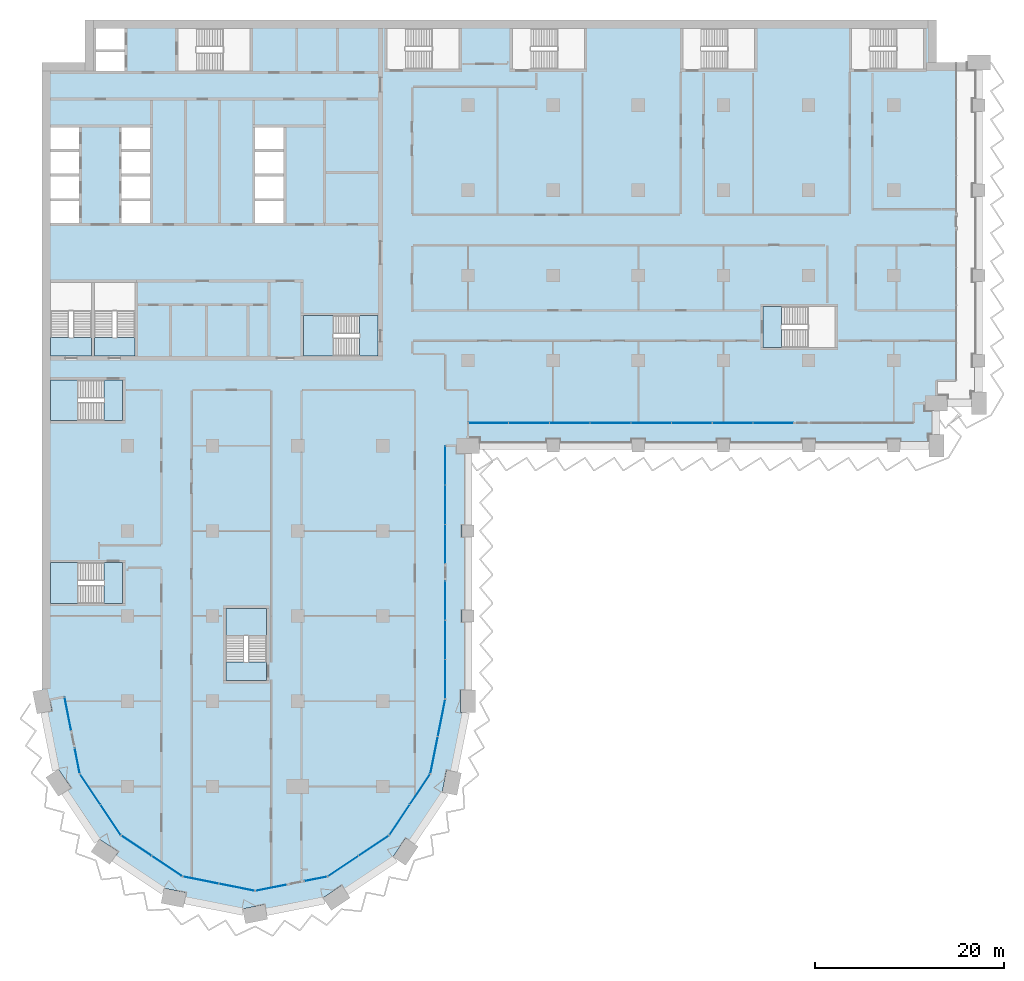
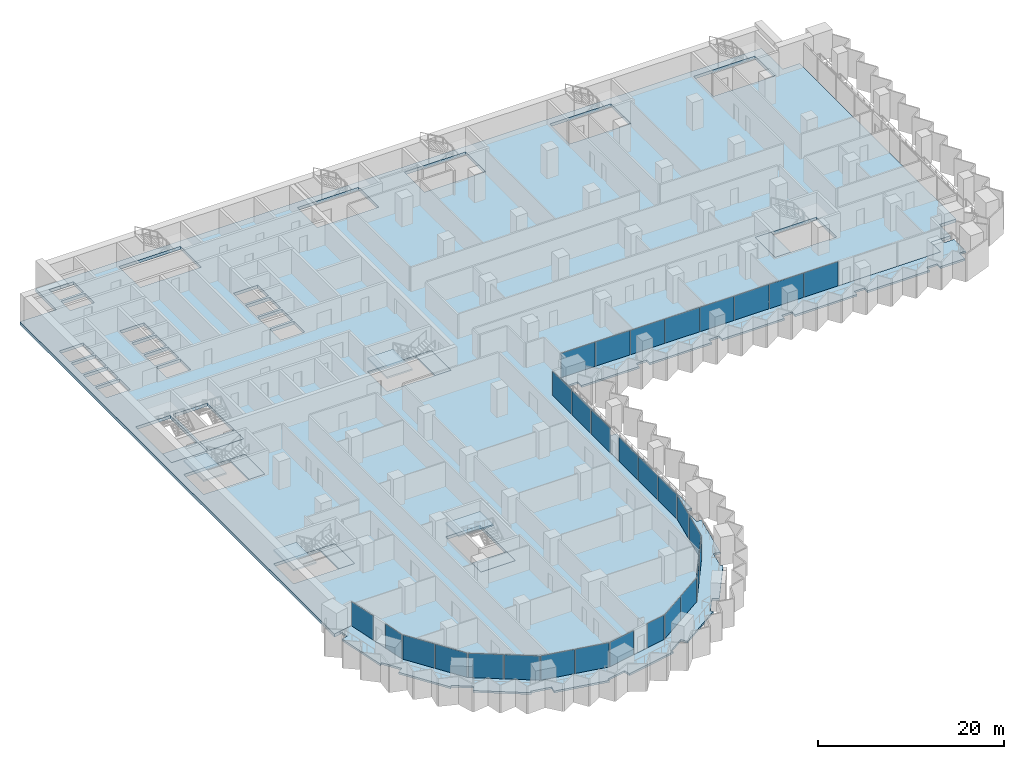
# One storey, part 8 of 28: 30 plates, 14 slabs, 17 elements without a shape of their own.
"""IFC4 building model written with IfcOpenShell, lengths in metres."""

from ifc_helpers import new_model, si_unit, direction, frame, origin, origin_2d, place, context, subcontext, project, spatial, polyline, rectangle, outline, extrude, material, layer, layer_set, type_object, element, aggregate, save


model = new_model("IFC4")

# Units and contexts
model_context = context("Model", 3, precision=1e-05, world=origin(), true_north=direction((0.0, 1.0)))
body_context = subcontext(model_context, "Body", "Model", "MODEL_VIEW")
ifc_project = project(units=[si_unit("LENGTHUNIT", "METRE"), si_unit("AREAUNIT", "SQUARE_METRE"), si_unit("VOLUMEUNIT", "CUBIC_METRE"), si_unit("PLANEANGLEUNIT", "RADIAN"), si_unit("MASSUNIT", "GRAM", prefix="KILO")], contexts=[model_context])

# Site, building, storey
site_placement = place(None, origin())
site = spatial("IfcSite", under=ifc_project, at=site_placement, CompositionType="ELEMENT")
building_placement = place(site_placement, origin())
building = spatial("IfcBuilding", under=site, at=building_placement, Name="Hunhe Ridgeline Campus", CompositionType="ELEMENT")
storey_placement = place(building_placement, frame((0.0, 0.0, 76.5)))
storey = spatial("IfcBuildingStorey", under=building, at=storey_placement, Name="L18", CompositionType="ELEMENT", Elevation=76.5)

# Curtain wall, plate
ifc_material_1 = material(Name="Aluminium 6063", Category="aluminium")
curtain_wall_type_1 = type_object("IfcCurtainWallType", Name="Curtain wall CW-5", PredefinedType="NOTDEFINED", material=ifc_material_1)
curtain_wall_1_placement = place(storey_placement, origin())
curtain_wall_1 = element("IfcCurtainWall", 1, at=curtain_wall_1_placement, inside=storey, type_object=curtain_wall_type_1, Name="Curtain wall 01", PredefinedType="NOTDEFINED")
ifc_material_2 = material(Name="Low-e laminated glass", Category="glass")
ifc_layer_1 = layer(ifc_material_2, 0.028076171875)
ifc_layer_set_1 = layer_set([ifc_layer_1], Name="Curtain wall glass panel 28 low-e laminated")
plate_type = type_object("IfcPlateType", Name="Curtain wall glass panel 28 low-e laminated", PredefinedType="CURTAIN_PANEL", material=ifc_layer_set_1)
plate_1_placement = place(storey_placement, frame((2.7158203125, 25.65380859375, 0.0), z_axis=(0.0, 0.0, 1.0), x_axis=(0.195095326561, -0.980784284924, 0.0)))
plate_1 = element("IfcPlate", 2, at=plate_1_placement, type_object=plate_type, Name="CW-5 panel 1", PredefinedType="CURTAIN_PANEL", context=body_context, shape_type="SweptSolid", body=[
    extrude(rectangle(XDim=3.560791015625, YDim=0.028076171875, at=origin_2d()), origin(), (0.0, 0.0, 1.0), 3.179931640625),
])
aggregate(curtain_wall_1, [plate_1])

curtain_wall_2_placement = place(storey_placement, origin())
curtain_wall_2 = element("IfcCurtainWall", 3, at=curtain_wall_2_placement, inside=storey, type_object=curtain_wall_type_1, Name="Curtain wall 02", PredefinedType="NOTDEFINED")
plate_2_placement = place(storey_placement, frame((3.701171875, 20.699951171875, 0.0), z_axis=(0.0, 0.0, 1.0), x_axis=(0.195095265587, -0.980784297053, 0.0)))
plate_2 = element("IfcPlate", 4, at=plate_2_placement, type_object=plate_type, Name="CW-5 panel 1", PredefinedType="CURTAIN_PANEL", context=body_context, shape_type="SweptSolid", body=[
    extrude(rectangle(XDim=2.660888671875, YDim=0.028076171875, at=origin_2d()), origin(), (0.0, 0.0, 1.0), 3.179931640625),
])
aggregate(curtain_wall_2, [plate_2])

# Curtain wall, plates
curtain_wall_3_placement = place(storey_placement, origin())
curtain_wall_3 = element("IfcCurtainWall", 5, at=curtain_wall_3_placement, inside=storey, type_object=curtain_wall_type_1, Name="Curtain wall 03", PredefinedType="NOTDEFINED")
plate_3_placement = place(storey_placement, frame((5.07080078125, 17.685546875, 0.0), z_axis=(0.0, 0.0, 1.0), x_axis=(0.555570274596, -0.831469584522, 0.0)))
plate_3 = element("IfcPlate", 6, at=plate_3_placement, type_object=plate_type, Name="CW-5 panel 1", PredefinedType="CURTAIN_PANEL", context=body_context, shape_type="SweptSolid", body=[
    extrude(rectangle(XDim=3.806884765625, YDim=0.028076171875, at=origin_2d()), origin(), (0.0, 0.0, 1.0), 3.179931640625),
])
plate_4_placement = place(storey_placement, frame((7.224609375, 14.4619140625, 0.0), z_axis=(0.0, 0.0, 1.0), x_axis=(0.555570274596, -0.831469584522, 0.0)))
plate_4 = element("IfcPlate", 7, at=plate_4_placement, type_object=plate_type, Name="CW-5 panel 2", PredefinedType="CURTAIN_PANEL", context=body_context, shape_type="SweptSolid", body=[
    extrude(rectangle(XDim=3.806884765625, YDim=0.028076171875, at=origin_2d()), origin(), (0.0, 0.0, 1.0), 3.179931640625),
])
aggregate(curtain_wall_3, [plate_3, plate_4])

curtain_wall_4_placement = place(storey_placement, origin())
curtain_wall_4 = element("IfcCurtainWall", 8, at=curtain_wall_4_placement, inside=storey, type_object=curtain_wall_type_1, Name="Curtain wall 04", PredefinedType="NOTDEFINED")
plate_5_placement = place(storey_placement, frame((9.9619140625, 11.724609375, 0.0), z_axis=(0.0, 0.0, 1.0), x_axis=(0.831469584522, -0.555570274596, 0.0)))
plate_5 = element("IfcPlate", 9, at=plate_5_placement, type_object=plate_type, Name="CW-5 panel 1", PredefinedType="CURTAIN_PANEL", context=body_context, shape_type="SweptSolid", body=[
    extrude(rectangle(XDim=3.806884765625, YDim=0.028076171875, at=origin_2d()), origin(), (0.0, 0.0, 1.0), 3.179931640625),
])
plate_6_placement = place(storey_placement, frame((13.185546875, 9.57080078125, 0.0), z_axis=(0.0, 0.0, 1.0), x_axis=(0.831469584522, -0.555570274596, 0.0)))
plate_6 = element("IfcPlate", 10, at=plate_6_placement, type_object=plate_type, Name="CW-5 panel 2", PredefinedType="CURTAIN_PANEL", context=body_context, shape_type="SweptSolid", body=[
    extrude(rectangle(XDim=3.806884765625, YDim=0.028076171875, at=origin_2d()), origin(), (0.0, 0.0, 1.0), 3.179931640625),
])
aggregate(curtain_wall_4, [plate_5, plate_6])

curtain_wall_5_placement = place(storey_placement, origin())
curtain_wall_5 = element("IfcCurtainWall", 11, at=curtain_wall_5_placement, inside=storey, type_object=curtain_wall_type_1, Name="Curtain wall 05", PredefinedType="NOTDEFINED")
plate_7_placement = place(storey_placement, frame((16.761962890625, 8.08935546875, 0.0), z_axis=(0.0, 0.0, 1.0), x_axis=(0.980785275326, -0.195090347539, 0.0)))
plate_7 = element("IfcPlate", 12, at=plate_7_placement, type_object=plate_type, Name="CW-5 panel 1", PredefinedType="CURTAIN_PANEL", context=body_context, shape_type="SweptSolid", body=[
    extrude(rectangle(XDim=3.806884765625, YDim=0.028076171875, at=origin_2d()), origin(), (0.0, 0.0, 1.0), 3.179931640625),
])
plate_8_placement = place(storey_placement, frame((20.564453125, 7.3330078125, 0.0), z_axis=(0.0, 0.0, 1.0), x_axis=(0.980785275326, -0.195090347539, 0.0)))
plate_8 = element("IfcPlate", 13, at=plate_8_placement, type_object=plate_type, Name="CW-5 panel 2", PredefinedType="CURTAIN_PANEL", context=body_context, shape_type="SweptSolid", body=[
    extrude(rectangle(XDim=3.806884765625, YDim=0.028076171875, at=origin_2d()), origin(), (0.0, 0.0, 1.0), 3.179931640625),
])
aggregate(curtain_wall_5, [plate_7, plate_8])

# Curtain wall, plate
curtain_wall_6_placement = place(storey_placement, origin())
curtain_wall_6 = element("IfcCurtainWall", 14, at=curtain_wall_6_placement, inside=storey, type_object=curtain_wall_type_1, Name="Curtain wall 06", PredefinedType="NOTDEFINED")
plate_9_placement = place(storey_placement, frame((24.19775390625, 7.28564453125, 0.0), z_axis=(0.0, 0.0, 1.0), x_axis=(0.980785270791, 0.19509037034, 0.0)))
plate_9 = element("IfcPlate", 15, at=plate_9_placement, type_object=plate_type, Name="CW-5 panel 1", PredefinedType="CURTAIN_PANEL", context=body_context, shape_type="SweptSolid", body=[
    extrude(rectangle(XDim=3.322021484375, YDim=0.028076171875, at=origin_2d()), origin(), (0.0, 0.0, 1.0), 3.179931640625),
])
aggregate(curtain_wall_6, [plate_9])

curtain_wall_7_placement = place(storey_placement, origin())
curtain_wall_7 = element("IfcCurtainWall", 16, at=curtain_wall_7_placement, inside=storey, type_object=curtain_wall_type_1, Name="Curtain wall 07", PredefinedType="NOTDEFINED")
plate_10_placement = place(storey_placement, frame((28.917236328125, 8.224609375, 0.0), z_axis=(0.0, 0.0, 1.0), x_axis=(0.980785242091, 0.195090514627, 0.0)))
plate_10 = element("IfcPlate", 17, at=plate_10_placement, type_object=plate_type, Name="CW-5 panel 1", PredefinedType="CURTAIN_PANEL", context=body_context, shape_type="SweptSolid", body=[
    extrude(rectangle(XDim=2.421875, YDim=0.028076171875, at=origin_2d()), origin(), (0.0, 0.0, 1.0), 3.179931640625),
])
aggregate(curtain_wall_7, [plate_10])

# Curtain wall, plates
curtain_wall_8_placement = place(storey_placement, origin())
curtain_wall_8 = element("IfcCurtainWall", 18, at=curtain_wall_8_placement, inside=storey, type_object=curtain_wall_type_1, Name="Curtain wall 08", PredefinedType="NOTDEFINED")
plate_11_placement = place(storey_placement, frame((31.814453125, 9.57080078125, 0.0), z_axis=(0.0, 0.0, 1.0), x_axis=(0.831469584522, 0.555570274596, 0.0)))
plate_11 = element("IfcPlate", 19, at=plate_11_placement, type_object=plate_type, Name="CW-5 panel 1", PredefinedType="CURTAIN_PANEL", context=body_context, shape_type="SweptSolid", body=[
    extrude(rectangle(XDim=3.806884765625, YDim=0.028076171875, at=origin_2d()), origin(), (0.0, 0.0, 1.0), 3.179931640625),
])
plate_12_placement = place(storey_placement, frame((35.0380859375, 11.724609375, 0.0), z_axis=(0.0, 0.0, 1.0), x_axis=(0.831469584522, 0.555570274596, 0.0)))
plate_12 = element("IfcPlate", 20, at=plate_12_placement, type_object=plate_type, Name="CW-5 panel 2", PredefinedType="CURTAIN_PANEL", context=body_context, shape_type="SweptSolid", body=[
    extrude(rectangle(XDim=3.806884765625, YDim=0.028076171875, at=origin_2d()), origin(), (0.0, 0.0, 1.0), 3.179931640625),
])
aggregate(curtain_wall_8, [plate_11, plate_12])

curtain_wall_9_placement = place(storey_placement, origin())
curtain_wall_9 = element("IfcCurtainWall", 21, at=curtain_wall_9_placement, inside=storey, type_object=curtain_wall_type_1, Name="Curtain wall 09", PredefinedType="NOTDEFINED")
plate_13_placement = place(storey_placement, frame((37.775390625, 14.4619140625, 0.0), z_axis=(0.0, 0.0, 1.0), x_axis=(0.555570274596, 0.831469584522, 0.0)))
plate_13 = element("IfcPlate", 22, at=plate_13_placement, type_object=plate_type, Name="CW-5 panel 1", PredefinedType="CURTAIN_PANEL", context=body_context, shape_type="SweptSolid", body=[
    extrude(rectangle(XDim=3.806884765625, YDim=0.028076171875, at=origin_2d()), origin(), (0.0, 0.0, 1.0), 3.179931640625),
])
plate_14_placement = place(storey_placement, frame((39.92919921875, 17.685546875, 0.0), z_axis=(0.0, 0.0, 1.0), x_axis=(0.555570274596, 0.831469584522, 0.0)))
plate_14 = element("IfcPlate", 23, at=plate_14_placement, type_object=plate_type, Name="CW-5 panel 2", PredefinedType="CURTAIN_PANEL", context=body_context, shape_type="SweptSolid", body=[
    extrude(rectangle(XDim=3.806884765625, YDim=0.028076171875, at=origin_2d()), origin(), (0.0, 0.0, 1.0), 3.179931640625),
])
aggregate(curtain_wall_9, [plate_13, plate_14])

curtain_wall_10_placement = place(storey_placement, origin())
curtain_wall_10 = element("IfcCurtainWall", 24, at=curtain_wall_10_placement, inside=storey, type_object=curtain_wall_type_1, Name="Curtain wall 10", PredefinedType="NOTDEFINED")
plate_15_placement = place(storey_placement, frame((41.42236328125, 21.321044921875, 0.0), z_axis=(0.0, 0.0, 1.0), x_axis=(0.195090299215, 0.980785284939, 0.0)))
plate_15 = element("IfcPlate", 25, at=plate_15_placement, type_object=plate_type, Name="CW-5 panel 1", PredefinedType="CURTAIN_PANEL", context=body_context, shape_type="SweptSolid", body=[
    extrude(rectangle(XDim=3.927490234375, YDim=0.028076171875, at=origin_2d()), origin(), (0.0, 0.0, 1.0), 3.179931640625),
])
plate_16_placement = place(storey_placement, frame((42.2021484375, 25.24169921875, 0.0), z_axis=(0.0, 0.0, 1.0), x_axis=(0.195090299215, 0.980785284939, 0.0)))
plate_16 = element("IfcPlate", 26, at=plate_16_placement, type_object=plate_type, Name="CW-5 panel 2", PredefinedType="CURTAIN_PANEL", context=body_context, shape_type="SweptSolid", body=[
    extrude(rectangle(XDim=3.927490234375, YDim=0.028076171875, at=origin_2d()), origin(), (0.0, 0.0, 1.0), 3.179931640625),
])
aggregate(curtain_wall_10, [plate_15, plate_16])

curtain_wall_type_2 = type_object("IfcCurtainWallType", Name="Curtain wall CW-1", PredefinedType="NOTDEFINED", material=ifc_material_1)
curtain_wall_11_placement = place(storey_placement, origin())
curtain_wall_11 = element("IfcCurtainWall", 27, at=curtain_wall_11_placement, inside=storey, type_object=curtain_wall_type_2, Name="Curtain wall 11", PredefinedType="NOTDEFINED")
plate_17_placement = place(storey_placement, frame((42.59912109375, 29.331787109375, 0.0), z_axis=(0.0, 0.0, 1.0), x_axis=(1.60239e-07, 1.0, 0.0)))
plate_17 = element("IfcPlate", 28, at=plate_17_placement, type_object=plate_type, Name="CW-1 panel 1", PredefinedType="CURTAIN_PANEL", context=body_context, shape_type="SweptSolid", body=[
    extrude(rectangle(XDim=4.070556640625, YDim=0.028076171875, at=origin_2d()), origin(), (0.0, 0.0, 1.0), 3.18994140625),
])
plate_18_placement = place(storey_placement, frame((42.59912109375, 33.477294921875, 0.0), z_axis=(0.0, 0.0, 1.0), x_axis=(1.60239e-07, 1.0, 0.0)))
plate_18 = element("IfcPlate", 29, at=plate_18_placement, type_object=plate_type, Name="CW-1 panel 2", PredefinedType="CURTAIN_PANEL", context=body_context, shape_type="SweptSolid", body=[
    extrude(rectangle(XDim=4.1005859375, YDim=0.028076171875, at=origin_2d()), origin(), (0.0, 0.0, 1.0), 3.18994140625),
])
plate_19_placement = place(storey_placement, frame((42.59912109375, 37.623046875, 0.0), z_axis=(0.0, 0.0, 1.0), x_axis=(1.60239e-07, 1.0, 0.0)))
plate_19 = element("IfcPlate", 30, at=plate_19_placement, type_object=plate_type, Name="CW-1 panel 3", PredefinedType="CURTAIN_PANEL", context=body_context, shape_type="SweptSolid", body=[
    extrude(rectangle(XDim=4.070556640625, YDim=0.028076171875, at=origin_2d()), origin(), (0.0, 0.0, 1.0), 3.18994140625),
])
aggregate(curtain_wall_11, [plate_17, plate_18, plate_19])

curtain_wall_12_placement = place(storey_placement, origin())
curtain_wall_12 = element("IfcCurtainWall", 31, at=curtain_wall_12_placement, inside=storey, type_object=curtain_wall_type_2, Name="Curtain wall 12", PredefinedType="NOTDEFINED")
plate_20_placement = place(storey_placement, frame((42.59912109375, 43.613525390625, 0.0), z_axis=(0.0, 0.0, 1.0), x_axis=(1.60239e-07, 1.0, 0.0)))
plate_20 = element("IfcPlate", 32, at=plate_20_placement, type_object=plate_type, Name="CW-1 panel 1", PredefinedType="CURTAIN_PANEL", context=body_context, shape_type="SweptSolid", body=[
    extrude(rectangle(XDim=4.070556640625, YDim=0.028076171875, at=origin_2d()), origin(), (0.0, 0.0, 1.0), 3.18994140625),
])
plate_21_placement = place(storey_placement, frame((42.59912109375, 47.75927734375, 0.0), z_axis=(0.0, 0.0, 1.0), x_axis=(1.60239e-07, 1.0, 0.0)))
plate_21 = element("IfcPlate", 33, at=plate_21_placement, type_object=plate_type, Name="CW-1 panel 2", PredefinedType="CURTAIN_PANEL", context=body_context, shape_type="SweptSolid", body=[
    extrude(rectangle(XDim=4.1005859375, YDim=0.028076171875, at=origin_2d()), origin(), (0.0, 0.0, 1.0), 3.18994140625),
])
plate_22_placement = place(storey_placement, frame((42.59912109375, 51.90478515625, 0.0), z_axis=(0.0, 0.0, 1.0), x_axis=(1.60239e-07, 1.0, 0.0)))
plate_22 = element("IfcPlate", 34, at=plate_22_placement, type_object=plate_type, Name="CW-1 panel 3", PredefinedType="CURTAIN_PANEL", context=body_context, shape_type="SweptSolid", body=[
    extrude(rectangle(XDim=4.070556640625, YDim=0.028076171875, at=origin_2d()), origin(), (0.0, 0.0, 1.0), 3.18994140625),
])
aggregate(curtain_wall_12, [plate_20, plate_21, plate_22])

curtain_wall_13_placement = place(storey_placement, origin())
curtain_wall_13 = element("IfcCurtainWall", 35, at=curtain_wall_13_placement, inside=storey, type_object=curtain_wall_type_2, Name="Curtain wall 13", PredefinedType="NOTDEFINED")
plate_23_placement = place(storey_placement, frame((47.166015625, 56.40087890625, 0.0), z_axis=(0.0, 0.0, 1.0), x_axis=(0.999999999994, 3.602063e-06, 0.0)))
plate_23 = element("IfcPlate", 36, at=plate_23_placement, type_object=plate_type, Name="CW-1 panel 1", PredefinedType="CURTAIN_PANEL", context=body_context, shape_type="SweptSolid", body=[
    extrude(rectangle(XDim=4.213134765625, YDim=0.028076171875, at=origin_2d()), origin(), (0.0, 0.0, 1.0), 3.18994140625),
])
plate_24_placement = place(storey_placement, frame((51.4541015625, 56.40087890625, 0.0), z_axis=(0.0, 0.0, 1.0), x_axis=(0.999999999994, 3.602063e-06, 0.0)))
plate_24 = element("IfcPlate", 37, at=plate_24_placement, type_object=plate_type, Name="CW-1 panel 2", PredefinedType="CURTAIN_PANEL", context=body_context, shape_type="SweptSolid", body=[
    extrude(rectangle(XDim=4.2431640625, YDim=0.028076171875, at=origin_2d()), origin(), (0.0, 0.0, 1.0), 3.18994140625),
])
plate_25_placement = place(storey_placement, frame((55.757080078125, 56.40087890625, 0.0), z_axis=(0.0, 0.0, 1.0), x_axis=(0.999999999994, 3.602063e-06, 0.0)))
plate_25 = element("IfcPlate", 38, at=plate_25_placement, type_object=plate_type, Name="CW-1 panel 3", PredefinedType="CURTAIN_PANEL", context=body_context, shape_type="SweptSolid", body=[
    extrude(rectangle(XDim=4.2431640625, YDim=0.028076171875, at=origin_2d()), origin(), (0.0, 0.0, 1.0), 3.18994140625),
])
plate_26_placement = place(storey_placement, frame((60.060302734375, 56.40087890625, 0.0), z_axis=(0.0, 0.0, 1.0), x_axis=(0.999999999994, 3.602063e-06, 0.0)))
plate_26 = element("IfcPlate", 39, at=plate_26_placement, type_object=plate_type, Name="CW-1 panel 4", PredefinedType="CURTAIN_PANEL", context=body_context, shape_type="SweptSolid", body=[
    extrude(rectangle(XDim=4.2431640625, YDim=0.028076171875, at=origin_2d()), origin(), (0.0, 0.0, 1.0), 3.18994140625),
])
plate_27_placement = place(storey_placement, frame((64.36328125, 56.40087890625, 0.0), z_axis=(0.0, 0.0, 1.0), x_axis=(0.999999999994, 3.602063e-06, 0.0)))
plate_27 = element("IfcPlate", 40, at=plate_27_placement, type_object=plate_type, Name="CW-1 panel 5", PredefinedType="CURTAIN_PANEL", context=body_context, shape_type="SweptSolid", body=[
    extrude(rectangle(XDim=4.2431640625, YDim=0.028076171875, at=origin_2d()), origin(), (0.0, 0.0, 1.0), 3.18994140625),
])
plate_28_placement = place(storey_placement, frame((68.66650390625, 56.40087890625, 0.0), z_axis=(0.0, 0.0, 1.0), x_axis=(0.999999999994, 3.602063e-06, 0.0)))
plate_28 = element("IfcPlate", 41, at=plate_28_placement, type_object=plate_type, Name="CW-1 panel 6", PredefinedType="CURTAIN_PANEL", context=body_context, shape_type="SweptSolid", body=[
    extrude(rectangle(XDim=4.2431640625, YDim=0.028076171875, at=origin_2d()), origin(), (0.0, 0.0, 1.0), 3.18994140625),
])
plate_29_placement = place(storey_placement, frame((72.969482421875, 56.40087890625, 0.0), z_axis=(0.0, 0.0, 1.0), x_axis=(0.999999999994, 3.602063e-06, 0.0)))
plate_29 = element("IfcPlate", 42, at=plate_29_placement, type_object=plate_type, Name="CW-1 panel 7", PredefinedType="CURTAIN_PANEL", context=body_context, shape_type="SweptSolid", body=[
    extrude(rectangle(XDim=4.2431640625, YDim=0.028076171875, at=origin_2d()), origin(), (0.0, 0.0, 1.0), 3.18994140625),
])
plate_30_placement = place(storey_placement, frame((77.257568359375, 56.40087890625, 0.0), z_axis=(0.0, 0.0, 1.0), x_axis=(0.999999999994, 3.602063e-06, 0.0)))
plate_30 = element("IfcPlate", 43, at=plate_30_placement, type_object=plate_type, Name="CW-1 panel 8", PredefinedType="CURTAIN_PANEL", context=body_context, shape_type="SweptSolid", body=[
    extrude(rectangle(XDim=4.213134765625, YDim=0.028076171875, at=origin_2d()), origin(), (0.0, 0.0, 1.0), 3.18994140625),
])
aggregate(curtain_wall_13, [plate_23, plate_24, plate_25, plate_26, plate_27, plate_28, plate_29, plate_30])

# Slabs
ifc_material_3 = material(Name="Concrete C40", Category="concrete")
ifc_layer_2 = layer(ifc_material_3, 0.39990234375)
ifc_layer_set_2 = layer_set([ifc_layer_2], Name="Floor slab 400 Concrete C40")
slab_type_1 = type_object("IfcSlabType", Name="Floor slab 400 Concrete C40", PredefinedType="FLOOR", material=ifc_layer_set_2)
slab_1_placement = place(storey_placement, frame((0.0, 0.0, -0.39990234375)))
element("IfcSlab", 44, at=slab_1_placement, inside=storey, type_object=slab_type_1, Name="Floor slab L18 1", PredefinedType="FLOOR", context=body_context, shape_type="SweptSolid", body=[
    extrude(outline(polyline([(4.5, 94.5), (0.0, 94.5), (0.0, 27.0009765625), (2.354736328125, 27.46875), (3.974365234375, 19.326416015625), (8.321044921875, 12.821044921875), (14.826416015625, 8.474365234375), (22.5, 6.947998046875), (30.173583984375, 8.474365234375), (36.678955078125, 12.821044921875), (41.025634765625, 19.326416015625), (42.59912109375, 27.236572265625), (42.59912109375, 54.0), (44.9990234375, 54.0009765625), (44.99951171875, 56.40087890625), (92.09912109375, 56.40087890625), (92.099365234375, 58.500732421875), (94.4990234375, 58.5009765625), (94.499267578125, 60.900634765625), (96.59912109375, 60.90087890625), (96.59912109375, 94.5), (94.5, 94.5), (94.5, 99.0), (4.5, 99.0), (4.5, 94.5)]), holes=[polyline([(93.14990234375, 93.800048828125), (93.14990234375, 98.10009765625), (85.550048828125, 98.10009765625), (85.550048828125, 93.800048828125), (93.14990234375, 93.800048828125)]), polyline([(76.199951171875, 68.699951171875), (76.199951171875, 64.39990234375), (83.800048828125, 64.39990234375), (83.800048828125, 68.699951171875), (76.199951171875, 68.699951171875)]), polyline([(75.300048828125, 98.10009765625), (67.699951171875, 98.10009765625), (67.699951171875, 93.800048828125), (75.300048828125, 93.800048828125), (75.300048828125, 98.10009765625)]), polyline([(49.699951171875, 98.10009765625), (49.699951171875, 93.800048828125), (57.300048828125, 93.800048828125), (57.300048828125, 98.10009765625), (49.699951171875, 98.10009765625)]), polyline([(36.449951171875, 93.800048828125), (44.050048828125, 93.800048828125), (44.050048828125, 98.10009765625), (36.449951171875, 98.10009765625), (36.449951171875, 93.800048828125)]), polyline([(35.5, 63.5), (35.5, 67.75), (27.60009765625, 67.75), (27.60009765625, 63.5), (35.5, 63.5)]), polyline([(25.5, 80.14990234375), (25.5, 82.449951171875), (22.5, 82.449951171875), (22.5, 80.14990234375), (25.5, 80.14990234375)]), polyline([(25.5, 79.85009765625), (22.5, 79.85009765625), (22.5, 77.550048828125), (25.5, 77.550048828125), (25.5, 79.85009765625)]), polyline([(22.5, 87.64990234375), (22.5, 85.35009765625), (25.5, 85.35009765625), (25.5, 87.64990234375), (22.5, 87.64990234375)]), polyline([(22.5, 82.75), (25.5, 82.75), (25.5, 85.050048828125), (22.5, 85.050048828125), (22.5, 82.75)]), polyline([(23.699951171875, 29.199951171875), (23.699951171875, 36.800048828125), (19.39990234375, 36.800048828125), (19.39990234375, 29.199951171875), (23.699951171875, 29.199951171875)]), polyline([(14.35009765625, 93.60009765625), (21.949951171875, 93.60009765625), (21.949951171875, 98.10009765625), (14.35009765625, 98.10009765625), (14.35009765625, 93.60009765625)]), polyline([(11.39990234375, 79.85009765625), (8.39990234375, 79.85009765625), (8.39990234375, 77.550048828125), (11.39990234375, 77.550048828125), (11.39990234375, 79.85009765625)]), polyline([(11.39990234375, 80.14990234375), (11.39990234375, 82.449951171875), (8.39990234375, 82.449951171875), (8.39990234375, 80.14990234375), (11.39990234375, 80.14990234375)]), polyline([(8.39990234375, 87.64990234375), (8.39990234375, 85.35009765625), (11.39990234375, 85.35009765625), (11.39990234375, 87.64990234375), (8.39990234375, 87.64990234375)]), polyline([(8.39990234375, 82.75), (11.39990234375, 82.75), (11.39990234375, 85.050048828125), (8.39990234375, 85.050048828125), (8.39990234375, 82.75)]), polyline([(9.800048828125, 71.25), (5.5, 71.25), (5.5, 63.5), (9.800048828125, 63.5), (9.800048828125, 71.25)]), polyline([(8.699951171875, 95.89990234375), (8.699951171875, 98.10009765625), (5.699951171875, 98.10009765625), (5.699951171875, 95.89990234375), (8.699951171875, 95.89990234375)]), polyline([(8.699951171875, 95.60009765625), (5.699951171875, 95.60009765625), (5.699951171875, 93.60009765625), (8.699951171875, 93.60009765625), (8.699951171875, 95.60009765625)]), polyline([(0.89990234375, 37.35009765625), (8.5, 37.35009765625), (8.5, 41.64990234375), (0.89990234375, 41.64990234375), (0.89990234375, 37.35009765625)]), polyline([(0.89990234375, 60.949951171875), (0.89990234375, 56.64990234375), (8.5, 56.64990234375), (8.5, 60.949951171875), (0.89990234375, 60.949951171875)]), polyline([(0.89990234375, 71.25), (0.89990234375, 63.5), (5.199951171875, 63.5), (5.199951171875, 71.25), (0.89990234375, 71.25)]), polyline([(3.89990234375, 80.14990234375), (3.89990234375, 82.449951171875), (0.89990234375, 82.449951171875), (0.89990234375, 80.14990234375), (3.89990234375, 80.14990234375)]), polyline([(3.89990234375, 79.85009765625), (0.89990234375, 79.85009765625), (0.89990234375, 77.550048828125), (3.89990234375, 77.550048828125), (3.89990234375, 79.85009765625)]), polyline([(0.89990234375, 87.64990234375), (0.89990234375, 85.35009765625), (3.89990234375, 85.35009765625), (3.89990234375, 87.64990234375), (0.89990234375, 87.64990234375)]), polyline([(0.89990234375, 82.75), (3.89990234375, 82.75), (3.89990234375, 85.050048828125), (0.89990234375, 85.050048828125), (0.89990234375, 82.75)])]), origin(), (0.0, 0.0, 1.0), 0.39990234375),
])
ifc_layer_3 = layer(ifc_material_3, 0.25)
ifc_layer_set_3 = layer_set([ifc_layer_3], Name="Loggia slab 250 Concrete C40")
slab_type_2 = type_object("IfcSlabType", Name="Loggia slab 250 Concrete C40", PredefinedType="FLOOR", material=ifc_layer_set_3)
slab_2_placement = place(storey_placement, frame((0.0, 0.0, -0.25)))
element("IfcSlab", 45, at=slab_2_placement, inside=storey, type_object=slab_type_2, Name="Loggia slab 1", PredefinedType="FLOOR", context=body_context, shape_type="SweptSolid", body=[
    extrude(outline(polyline([(30.173828125, 8.473388671875), (22.5, 6.947021484375), (14.826171875, 8.473388671875), (8.3203125, 12.8203125), (3.973388671875, 19.326171875), (2.35400390625, 27.46826171875), (0.78466796875, 27.156005859375), (1.018798828125, 25.979248046875), (0.234130859375, 25.822998046875), (1.459228515625, 19.66357421875), (1.711181640625, 19.831787109375), (3.044677734375, 17.83642578125), (2.37939453125, 17.391845703125), (5.868408203125, 12.170166015625), (6.036865234375, 12.421875), (8.0322265625, 11.088623046875), (7.587890625, 10.42333984375), (12.8095703125, 6.934326171875), (12.86865234375, 7.2314453125), (15.22265625, 6.76318359375), (15.066650390625, 5.978515625), (21.22607421875, 4.75341796875), (21.1669921875, 5.050537109375), (23.520751953125, 5.518798828125), (23.677001953125, 4.734130859375), (29.83642578125, 5.959228515625), (29.668212890625, 6.211181640625), (31.66357421875, 7.544677734375), (32.108154296875, 6.87939453125), (37.329833984375, 10.368408203125), (37.078125, 10.536865234375), (38.411376953125, 12.5322265625), (39.07666015625, 12.087890625), (42.565673828125, 17.3095703125), (42.2685546875, 17.36865234375), (42.73681640625, 19.72265625), (43.521484375, 19.566650390625), (44.76123046875, 25.800048828125), (44.199951171875, 25.800048828125), (44.199951171875, 28.199951171875), (45.0, 28.199951171875), (45.0, 35.35009765625), (44.35009765625, 35.35009765625), (44.35009765625, 36.64990234375), (45.0, 36.64990234375), (45.0, 44.35009765625), (44.35009765625, 44.35009765625), (44.35009765625, 45.64990234375), (45.0, 45.64990234375), (45.0, 53.199951171875), (43.800048828125, 53.199951171875), (43.800048828125, 54.0), (42.60009765625, 54.0), (42.60009765625, 27.236328125), (41.026611328125, 19.326171875), (36.6796875, 12.8203125), (30.173828125, 8.473388671875)])), origin(), (0.0, 0.0, 1.0), 0.25),
])
slab_3_placement = place(storey_placement, frame((0.0, 0.0, -0.25)))
element("IfcSlab", 46, at=slab_3_placement, inside=storey, type_object=slab_type_2, Name="Loggia slab 2", PredefinedType="FLOOR", context=body_context, shape_type="SweptSolid", body=[
    extrude(outline(polyline([(45.0, 54.800048828125), (46.199951171875, 54.800048828125), (46.199951171875, 54.0), (53.35009765625, 54.0), (53.35009765625, 54.64990234375), (54.64990234375, 54.64990234375), (54.64990234375, 54.0), (62.35009765625, 54.0), (62.35009765625, 54.64990234375), (63.64990234375, 54.64990234375), (63.64990234375, 54.0), (71.35009765625, 54.0), (71.35009765625, 54.64990234375), (72.64990234375, 54.64990234375), (72.64990234375, 54.0), (80.35009765625, 54.0), (80.35009765625, 54.64990234375), (81.64990234375, 54.64990234375), (81.64990234375, 54.0), (89.35009765625, 54.0), (89.35009765625, 54.64990234375), (90.64990234375, 54.64990234375), (90.64990234375, 54.0), (93.699951171875, 54.0), (93.699951171875, 55.199951171875), (94.5, 55.199951171875), (94.5, 57.699951171875), (93.300048828125, 57.699951171875), (93.300048828125, 58.5), (92.10009765625, 58.5), (92.10009765625, 56.39990234375), (45.0, 56.39990234375), (45.0, 54.800048828125)])), origin(), (0.0, 0.0, 1.0), 0.25),
])

# Stair, slab
stair_type = type_object("IfcStairType", Name="Reinforced concrete dog-leg stair 1950 Concrete C40", PredefinedType="HALF_TURN_STAIR", material=ifc_material_3)
stair_1_placement = place(storey_placement, origin())
stair_1 = element("IfcStair", 47, at=stair_1_placement, inside=storey, type_object=stair_type, Name="L18 S2", PredefinedType="HALF_TURN_STAIR")
ifc_layer_4 = layer(ifc_material_3, 0.199951171875)
ifc_layer_set_4 = layer_set([ifc_layer_4], Name="Reinforced concrete stair landing 200 Concrete C40")
slab_type_3 = type_object("IfcSlabType", Name="Reinforced concrete stair landing 200 Concrete C40", PredefinedType="LANDING", material=ifc_layer_set_4)
slab_4_placement = place(storey_placement, frame((0.0, 0.0, 1.64990234375)))
slab_4 = element("IfcSlab", 48, at=slab_4_placement, type_object=slab_type_3, Name="ST2 landing 1", PredefinedType="LANDING", context=body_context, shape_type="SweptSolid", body=[
    extrude(outline(polyline([(30.75, 67.75), (27.60009765625, 67.75), (27.60009765625, 63.5), (30.75, 63.5), (30.75, 67.75)])), origin(), (0.0, 0.0, 1.0), 0.2001953125),
])
aggregate(stair_1, [slab_4])

# Slabs
slab_5_placement = place(storey_placement, frame((0.0, 0.0, -0.199951171875)))
element("IfcSlab", 49, at=slab_5_placement, inside=storey, type_object=slab_type_3, Name="L18 stair S2 floor landing", PredefinedType="LANDING", context=body_context, shape_type="SweptSolid", body=[
    extrude(outline(polyline([(35.5, 67.75), (33.550048828125, 67.75), (33.550048828125, 63.5), (35.5, 63.5), (35.5, 67.75)])), origin(), (0.0, 0.0, 1.0), 0.199951171875),
])
slab_6_placement = place(storey_placement, frame((0.0, 0.0, -0.199951171875)))
element("IfcSlab", 50, at=slab_6_placement, inside=storey, type_object=slab_type_3, Name="L18 stair S3 floor landing", PredefinedType="LANDING", context=body_context, shape_type="SweptSolid", body=[
    extrude(outline(polyline([(5.199951171875, 63.5), (5.199951171875, 65.449951171875), (0.89990234375, 65.449951171875), (0.89990234375, 63.5), (5.199951171875, 63.5)])), origin(), (0.0, 0.0, 1.0), 0.199951171875),
])
slab_7_placement = place(storey_placement, frame((0.0, 0.0, -0.199951171875)))
element("IfcSlab", 51, at=slab_7_placement, inside=storey, type_object=slab_type_3, Name="L18 stair S4 floor landing", PredefinedType="LANDING", context=body_context, shape_type="SweptSolid", body=[
    extrude(outline(polyline([(9.800048828125, 63.5), (9.800048828125, 65.449951171875), (5.5, 65.449951171875), (5.5, 63.5), (9.800048828125, 63.5)])), origin(), (0.0, 0.0, 1.0), 0.199951171875),
])

# Stair, slab
stair_2_placement = place(storey_placement, origin())
stair_2 = element("IfcStair", 52, at=stair_2_placement, inside=storey, type_object=stair_type, Name="L18 W3", PredefinedType="HALF_TURN_STAIR")
slab_8_placement = place(storey_placement, frame((0.0, 0.0, 1.64990234375)))
slab_8 = element("IfcSlab", 53, at=slab_8_placement, type_object=slab_type_3, Name="ST9 landing 1", PredefinedType="LANDING", context=body_context, shape_type="SweptSolid", body=[
    extrude(outline(polyline([(23.699951171875, 33.949951171875), (23.699951171875, 36.800048828125), (19.39990234375, 36.800048828125), (19.39990234375, 33.949951171875), (23.699951171875, 33.949951171875)])), origin(), (0.0, 0.0, 1.0), 0.2001953125),
])
aggregate(stair_2, [slab_8])

# Slabs
slab_9_placement = place(storey_placement, frame((0.0, 0.0, -0.199951171875)))
element("IfcSlab", 54, at=slab_9_placement, inside=storey, type_object=slab_type_3, Name="L18 stair W3 floor landing", PredefinedType="LANDING", context=body_context, shape_type="SweptSolid", body=[
    extrude(outline(polyline([(23.699951171875, 29.199951171875), (23.699951171875, 31.14990234375), (19.39990234375, 31.14990234375), (19.39990234375, 29.199951171875), (23.699951171875, 29.199951171875)])), origin(), (0.0, 0.0, 1.0), 0.199951171875),
])
slab_10_placement = place(storey_placement, frame((0.0, 0.0, -0.199951171875)))
element("IfcSlab", 55, at=slab_10_placement, inside=storey, type_object=slab_type_3, Name="L18 stair E5 floor landing", PredefinedType="LANDING", context=body_context, shape_type="SweptSolid", body=[
    extrude(outline(polyline([(76.199951171875, 64.39990234375), (78.14990234375, 64.39990234375), (78.14990234375, 68.699951171875), (76.199951171875, 68.699951171875), (76.199951171875, 64.39990234375)])), origin(), (0.0, 0.0, 1.0), 0.199951171875),
])

# Stair, slab
stair_3_placement = place(storey_placement, origin())
stair_3 = element("IfcStair", 56, at=stair_3_placement, inside=storey, type_object=stair_type, Name="L18 W1", PredefinedType="HALF_TURN_STAIR")
slab_11_placement = place(storey_placement, frame((0.0, 0.0, 1.64990234375)))
slab_11 = element("IfcSlab", 57, at=slab_11_placement, type_object=slab_type_3, Name="ST11 landing 1", PredefinedType="LANDING", context=body_context, shape_type="SweptSolid", body=[
    extrude(outline(polyline([(3.75, 41.64990234375), (0.89990234375, 41.64990234375), (0.89990234375, 37.35009765625), (3.75, 37.35009765625), (3.75, 41.64990234375)])), origin(), (0.0, 0.0, 1.0), 0.2001953125),
])
aggregate(stair_3, [slab_11])

# Slab
slab_12_placement = place(storey_placement, frame((0.0, 0.0, -0.199951171875)))
element("IfcSlab", 58, at=slab_12_placement, inside=storey, type_object=slab_type_3, Name="L18 stair W1 floor landing", PredefinedType="LANDING", context=body_context, shape_type="SweptSolid", body=[
    extrude(outline(polyline([(8.5, 41.64990234375), (6.550048828125, 41.64990234375), (6.550048828125, 37.35009765625), (8.5, 37.35009765625), (8.5, 41.64990234375)])), origin(), (0.0, 0.0, 1.0), 0.199951171875),
])

# Stair, slab
stair_4_placement = place(storey_placement, origin())
stair_4 = element("IfcStair", 59, at=stair_4_placement, inside=storey, type_object=stair_type, Name="L18 W2", PredefinedType="HALF_TURN_STAIR")
slab_13_placement = place(storey_placement, frame((0.0, 0.0, 1.64990234375)))
slab_13 = element("IfcSlab", 60, at=slab_13_placement, type_object=slab_type_3, Name="ST12 landing 1", PredefinedType="LANDING", context=body_context, shape_type="SweptSolid", body=[
    extrude(outline(polyline([(3.75, 60.949951171875), (0.89990234375, 60.949951171875), (0.89990234375, 56.64990234375), (3.75, 56.64990234375), (3.75, 60.949951171875)])), origin(), (0.0, 0.0, 1.0), 0.2001953125),
])
aggregate(stair_4, [slab_13])

# Slab
slab_14_placement = place(storey_placement, frame((0.0, 0.0, -0.199951171875)))
element("IfcSlab", 61, at=slab_14_placement, inside=storey, type_object=slab_type_3, Name="L18 stair W2 floor landing", PredefinedType="LANDING", context=body_context, shape_type="SweptSolid", body=[
    extrude(outline(polyline([(8.5, 60.949951171875), (6.550048828125, 60.949951171875), (6.550048828125, 56.64990234375), (8.5, 56.64990234375), (8.5, 60.949951171875)])), origin(), (0.0, 0.0, 1.0), 0.199951171875),
])

save(model, "model.ifc")
